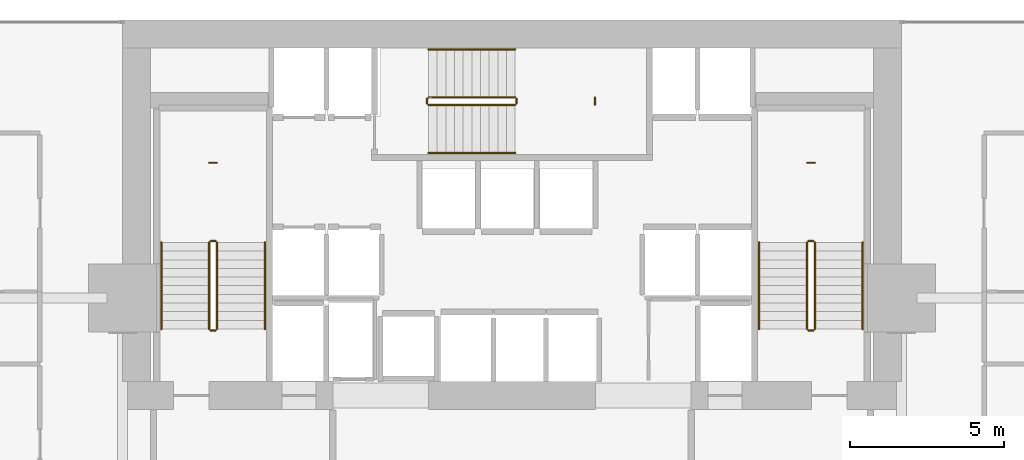
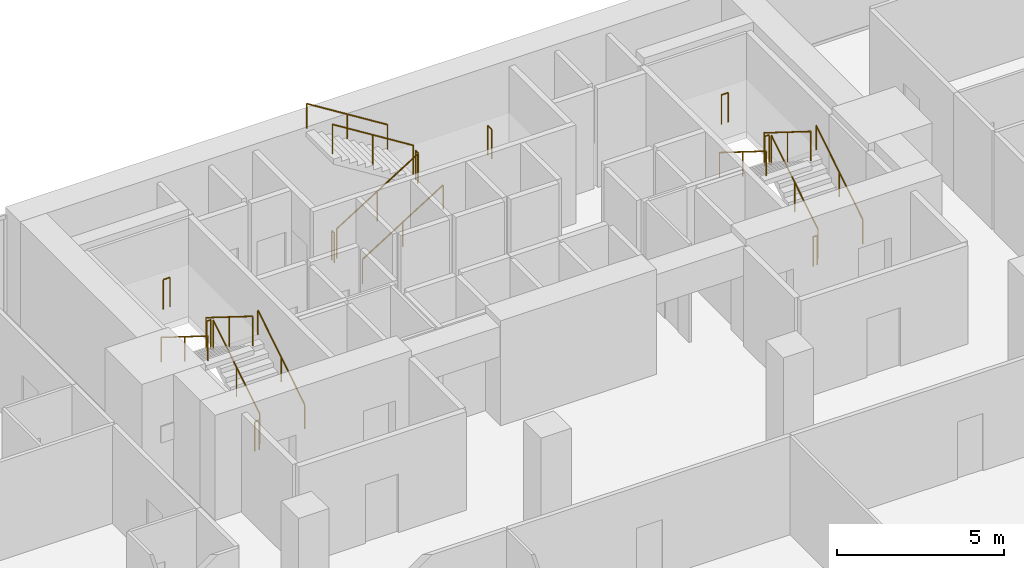
# One storey, part 39 of 39: 21 railings.
"""IFC4 building model written with IfcOpenShell, lengths in metres."""

from ifc_helpers import new_model, si_unit, direction, frame, origin, origin_2d, place, context, subcontext, project, spatial, circle, extrude, material, type_object, element, save


model = new_model("IFC4")

# Units and contexts
model_context = context("Model", 3, precision=1e-05, world=origin(), true_north=direction((0.0, 1.0)))
body_context = subcontext(model_context, "Body", "Model", "MODEL_VIEW")
ifc_project = project(units=[si_unit("LENGTHUNIT", "METRE"), si_unit("AREAUNIT", "SQUARE_METRE"), si_unit("VOLUMEUNIT", "CUBIC_METRE"), si_unit("PLANEANGLEUNIT", "RADIAN"), si_unit("MASSUNIT", "GRAM", prefix="KILO")], contexts=[model_context])

# Site, building, storey
site_placement = place(None, origin())
site = spatial("IfcSite", under=ifc_project, at=site_placement, CompositionType="ELEMENT")
building_placement = place(site_placement, origin())
building = spatial("IfcBuilding", under=site, at=building_placement, Name="Maruvema Waterfront Hotel and Observation Tower", CompositionType="ELEMENT")
storey_placement = place(building_placement, frame((0.0, 0.0, 46.199951171875)))
storey = spatial("IfcBuildingStorey", under=building, at=storey_placement, Name="L10", CompositionType="ELEMENT", Elevation=46.199951171875)

# Railings
ifc_material_1 = material(Name="Brushed stainless steel Grade 316", Category="steel")
railing_type_1 = type_object("IfcRailingType", Name="Ramp Continuous Wall Handrail 920 mm", PredefinedType="HANDRAIL", material=ifc_material_1)
railing_1_placement = place(storey_placement, frame((29.800048828125, 44.0, 0.175048828125)))
element("IfcRailing", 1, at=railing_1_placement, inside=storey, type_object=railing_type_1, Name="L10 ST-01 stair handrail 1", PredefinedType="HANDRAIL", context=body_context, shape_type="SweptSolid", body=[
    extrude(circle(Radius=0.02392578125, at=origin_2d()), frame((0.0, 0.0, 0.89599609375), z_axis=(0.0, 0.848002457836, 0.529992293815), x_axis=(-1.0, 0.0, 0.0)), (0.0, 0.0, 1.0), 3.302001953125),
    extrude(circle(Radius=0.02099609375, at=origin_2d()), origin(), (0.0, 0.0, 1.0), 0.871826171875),
    extrude(circle(Radius=0.02099609375, at=origin_2d()), frame((0.0, 1.39990234375, 0.875)), (0.0, 0.0, 1.0), 0.871826171875),
    extrude(circle(Radius=0.02099609375, at=origin_2d()), frame((0.0, 2.800048828125, 1.75)), (0.0, 0.0, 1.0), 0.871826171875),
])
railing_2_placement = place(storey_placement, frame((26.449951171875, 46.800048828125, 2.10009765625)))
element("IfcRailing", 2, at=railing_2_placement, inside=storey, type_object=railing_type_1, Name="L10 ST-01 stair handrail 2", PredefinedType="HANDRAIL", context=body_context, shape_type="SweptSolid", body=[
    extrude(circle(Radius=0.02392578125, at=origin_2d()), frame((0.0, 0.0, 0.89599609375), z_axis=(0.0, -0.848002457836, 0.529992293815), x_axis=(1.0, 0.0, 0.0)), (0.0, 0.0, 1.0), 3.302001953125),
    extrude(circle(Radius=0.02099609375, at=origin_2d()), origin(), (0.0, 0.0, 1.0), 0.871826171875),
    extrude(circle(Radius=0.02099609375, at=origin_2d()), frame((0.0, -1.39990234375, 0.875)), (0.0, 0.0, 1.0), 0.871826171875),
    extrude(circle(Radius=0.02099609375, at=origin_2d()), frame((0.0, -2.800048828125, 1.75)), (0.0, 0.0, 1.0), 0.871826171875),
])
railing_3_placement = place(storey_placement, frame((35.10009765625, 49.699951171875, 0.175048828125)))
element("IfcRailing", 3, at=railing_3_placement, inside=storey, type_object=railing_type_1, Name="L10 ST-02 stair handrail 1", PredefinedType="HANDRAIL", context=body_context, shape_type="SweptSolid", body=[
    extrude(circle(Radius=0.02392578125, at=origin_2d()), frame((0.0, 0.0, 0.89599609375), z_axis=(0.847981687118, 0.0, 0.530025526095), x_axis=(0.0, 1.0, 0.0)), (0.0, 0.0, 1.0), 3.3017578125),
    extrude(circle(Radius=0.02099609375, at=origin_2d()), origin(), (0.0, 0.0, 1.0), 0.871826171875),
    extrude(circle(Radius=0.02099609375, at=origin_2d()), frame((1.39990234375, 0.0, 0.875)), (0.0, 0.0, 1.0), 0.871826171875),
    extrude(circle(Radius=0.02099609375, at=origin_2d()), frame((2.7998046875, 0.0, 1.75)), (0.0, 0.0, 1.0), 0.871826171875),
])
railing_4_placement = place(storey_placement, frame((37.89990234375, 53.050048828125, 2.10009765625)))
element("IfcRailing", 4, at=railing_4_placement, inside=storey, type_object=railing_type_1, Name="L10 ST-02 stair handrail 2", PredefinedType="HANDRAIL", context=body_context, shape_type="SweptSolid", body=[
    extrude(circle(Radius=0.02392578125, at=origin_2d()), frame((0.0, 0.0, 0.89599609375), z_axis=(-0.847981687118, 0.0, 0.530025526095), x_axis=(0.0, -1.0, 0.0)), (0.0, 0.0, 1.0), 3.3017578125),
    extrude(circle(Radius=0.02099609375, at=origin_2d()), origin(), (0.0, 0.0, 1.0), 0.871826171875),
    extrude(circle(Radius=0.02099609375, at=origin_2d()), frame((-1.39990234375, 0.0, 0.875)), (0.0, 0.0, 1.0), 0.871826171875),
    extrude(circle(Radius=0.02099609375, at=origin_2d()), frame((-2.7998046875, 0.0, 1.75)), (0.0, 0.0, 1.0), 0.871826171875),
])
railing_5_placement = place(storey_placement, frame((49.14990234375, 44.0, 0.175048828125)))
element("IfcRailing", 5, at=railing_5_placement, inside=storey, type_object=railing_type_1, Name="L10 ST-03 stair handrail 1", PredefinedType="HANDRAIL", context=body_context, shape_type="SweptSolid", body=[
    extrude(circle(Radius=0.02392578125, at=origin_2d()), frame((0.0, 0.0, 0.89599609375), z_axis=(0.0, 0.848002457836, 0.529992293815), x_axis=(-1.0, 0.0, 0.0)), (0.0, 0.0, 1.0), 3.302001953125),
    extrude(circle(Radius=0.02099609375, at=origin_2d()), origin(), (0.0, 0.0, 1.0), 0.871826171875),
    extrude(circle(Radius=0.02099609375, at=origin_2d()), frame((0.0, 1.39990234375, 0.875)), (0.0, 0.0, 1.0), 0.871826171875),
    extrude(circle(Radius=0.02099609375, at=origin_2d()), frame((0.0, 2.800048828125, 1.75)), (0.0, 0.0, 1.0), 0.871826171875),
])
railing_6_placement = place(storey_placement, frame((45.800048828125, 46.800048828125, 2.10009765625)))
element("IfcRailing", 6, at=railing_6_placement, inside=storey, type_object=railing_type_1, Name="L10 ST-03 stair handrail 2", PredefinedType="HANDRAIL", context=body_context, shape_type="SweptSolid", body=[
    extrude(circle(Radius=0.02392578125, at=origin_2d()), frame((0.0, 0.0, 0.89599609375), z_axis=(0.0, -0.848002457836, 0.529992293815), x_axis=(1.0, 0.0, 0.0)), (0.0, 0.0, 1.0), 3.302001953125),
    extrude(circle(Radius=0.02099609375, at=origin_2d()), origin(), (0.0, 0.0, 1.0), 0.871826171875),
    extrude(circle(Radius=0.02099609375, at=origin_2d()), frame((0.0, -1.39990234375, 0.875)), (0.0, 0.0, 1.0), 0.871826171875),
    extrude(circle(Radius=0.02099609375, at=origin_2d()), frame((0.0, -2.800048828125, 1.75)), (0.0, 0.0, 1.0), 0.871826171875),
])
ifc_material_2 = material(Name="Brushed stainless steel Grade 316", Category="steel")
railing_type_2 = type_object("IfcRailingType", Name="Ramp and Terrace Guard Balustrade 1100 mm", PredefinedType="BALUSTRADE", material=ifc_material_2)
railing_7_placement = place(storey_placement, frame((28.25, 44.0, 0.175048828125)))
element("IfcRailing", 7, at=railing_7_placement, inside=storey, type_object=railing_type_2, Name="L10 ST-01 stair guard 1", PredefinedType="BALUSTRADE", context=body_context, shape_type="SweptSolid", body=[
    extrude(circle(Radius=0.02392578125, at=origin_2d()), frame((0.0, 0.0, 1.076171875), z_axis=(0.0, 0.848002457836, 0.529992293815), x_axis=(-1.0, 0.0, 0.0)), (0.0, 0.0, 1.0), 3.302001953125),
    extrude(circle(Radius=0.02099609375, at=origin_2d()), origin(), (0.0, 0.0, 1.0), 1.052001953125),
    extrude(circle(Radius=0.02099609375, at=origin_2d()), frame((0.0, 1.39990234375, 0.875)), (0.0, 0.0, 1.0), 1.052001953125),
    extrude(circle(Radius=0.02099609375, at=origin_2d()), frame((0.0, 2.800048828125, 1.75)), (0.0, 0.0, 1.0), 1.052001953125),
])
railing_8_placement = place(storey_placement, frame((28.199951171875, 46.85009765625, 1.925048828125)))
element("IfcRailing", 8, at=railing_8_placement, inside=storey, type_object=railing_type_2, Name="L10 ST-01 stair guard 2", PredefinedType="BALUSTRADE", context=body_context, shape_type="SweptSolid", body=[
    extrude(circle(Radius=0.02392578125, at=origin_2d()), frame((0.0, 0.0, 1.076171875), z_axis=(-1.0, 0.0, 0.0), x_axis=(0.0, -1.0, 0.0)), (0.0, 0.0, 1.0), 0.14990234375),
    extrude(circle(Radius=0.02099609375, at=origin_2d()), origin(), (0.0, 0.0, 1.0), 1.052001953125),
    extrude(circle(Radius=0.02099609375, at=origin_2d()), frame((-0.14990234375, 0.0, 0.0)), (0.0, 0.0, 1.0), 1.052001953125),
])
railing_9_placement = place(storey_placement, frame((28.0, 46.800048828125, 2.10009765625)))
element("IfcRailing", 9, at=railing_9_placement, inside=storey, type_object=railing_type_2, Name="L10 ST-01 stair guard 3", PredefinedType="BALUSTRADE", context=body_context, shape_type="SweptSolid", body=[
    extrude(circle(Radius=0.02392578125, at=origin_2d()), frame((0.0, 0.0, 1.076171875), z_axis=(0.0, -0.848002457836, 0.529992293815), x_axis=(1.0, 0.0, 0.0)), (0.0, 0.0, 1.0), 3.302001953125),
    extrude(circle(Radius=0.02099609375, at=origin_2d()), origin(), (0.0, 0.0, 1.0), 1.052001953125),
    extrude(circle(Radius=0.02099609375, at=origin_2d()), frame((0.0, -1.39990234375, 0.875)), (0.0, 0.0, 1.0), 1.052001953125),
    extrude(circle(Radius=0.02099609375, at=origin_2d()), frame((0.0, -2.800048828125, 1.75)), (0.0, 0.0, 1.0), 1.052001953125),
])
railing_10_placement = place(storey_placement, frame((28.199951171875, 43.949951171875, 0.0)))
element("IfcRailing", 10, at=railing_10_placement, inside=storey, type_object=railing_type_2, Name="L10 ST-01 stair guard 4", PredefinedType="BALUSTRADE", context=body_context, shape_type="SweptSolid", body=[
    extrude(circle(Radius=0.02392578125, at=origin_2d()), frame((0.0, 0.0, 1.076171875), z_axis=(-1.0, 0.0, 0.0), x_axis=(0.0, -1.0, 0.0)), (0.0, 0.0, 1.0), 0.14990234375),
    extrude(circle(Radius=0.02099609375, at=origin_2d()), origin(), (0.0, 0.0, 1.0), 1.052001953125),
    extrude(circle(Radius=0.02099609375, at=origin_2d()), frame((-0.14990234375, 0.0, 0.0)), (0.0, 0.0, 1.0), 1.052001953125),
])
railing_11_placement = place(storey_placement, frame((28.239990234375, 49.3798828125, 1.925048828125)))
element("IfcRailing", 11, at=railing_11_placement, inside=storey, type_object=railing_type_2, Name="L10 ST-01 Half-Landing Slot Guard", PredefinedType="BALUSTRADE", context=body_context, shape_type="SweptSolid", body=[
    extrude(circle(Radius=0.02392578125, at=origin_2d()), frame((0.0, 0.0, 1.076171875), z_axis=(-1.0, 0.0, 0.0), x_axis=(0.0, -1.0, 0.0)), (0.0, 0.0, 1.0), 0.22998046875),
    extrude(circle(Radius=0.02099609375, at=origin_2d()), origin(), (0.0, 0.0, 1.0), 1.052001953125),
    extrude(circle(Radius=0.02099609375, at=origin_2d()), frame((-0.22998046875, 0.0, 0.0)), (0.0, 0.0, 1.0), 1.052001953125),
])
railing_12_placement = place(storey_placement, frame((35.10009765625, 51.25, 0.175048828125)))
element("IfcRailing", 12, at=railing_12_placement, inside=storey, type_object=railing_type_2, Name="L10 ST-02 stair guard 1", PredefinedType="BALUSTRADE", context=body_context, shape_type="SweptSolid", body=[
    extrude(circle(Radius=0.02392578125, at=origin_2d()), frame((0.0, 0.0, 1.076171875), z_axis=(0.847981687118, 0.0, 0.530025526095), x_axis=(0.0, 1.0, 0.0)), (0.0, 0.0, 1.0), 3.3017578125),
    extrude(circle(Radius=0.02099609375, at=origin_2d()), origin(), (0.0, 0.0, 1.0), 1.052001953125),
    extrude(circle(Radius=0.02099609375, at=origin_2d()), frame((1.39990234375, 0.0, 0.875)), (0.0, 0.0, 1.0), 1.052001953125),
    extrude(circle(Radius=0.02099609375, at=origin_2d()), frame((2.7998046875, 0.0, 1.75)), (0.0, 0.0, 1.0), 1.052001953125),
])
railing_13_placement = place(storey_placement, frame((37.949951171875, 51.300048828125, 1.925048828125)))
element("IfcRailing", 13, at=railing_13_placement, inside=storey, type_object=railing_type_2, Name="L10 ST-02 stair guard 2", PredefinedType="BALUSTRADE", context=body_context, shape_type="SweptSolid", body=[
    extrude(circle(Radius=0.02392578125, at=origin_2d()), frame((0.0, 0.0, 1.076171875), z_axis=(0.0, 1.0, 0.0), x_axis=(-1.0, 0.0, 0.0)), (0.0, 0.0, 1.0), 0.14990234375),
    extrude(circle(Radius=0.02099609375, at=origin_2d()), origin(), (0.0, 0.0, 1.0), 1.052001953125),
    extrude(circle(Radius=0.02099609375, at=origin_2d()), frame((0.0, 0.14990234375, 0.0)), (0.0, 0.0, 1.0), 1.052001953125),
])
railing_14_placement = place(storey_placement, frame((37.89990234375, 51.5, 2.10009765625)))
element("IfcRailing", 14, at=railing_14_placement, inside=storey, type_object=railing_type_2, Name="L10 ST-02 stair guard 3", PredefinedType="BALUSTRADE", context=body_context, shape_type="SweptSolid", body=[
    extrude(circle(Radius=0.02392578125, at=origin_2d()), frame((0.0, 0.0, 1.076171875), z_axis=(-0.847981687118, 0.0, 0.530025526095), x_axis=(0.0, -1.0, 0.0)), (0.0, 0.0, 1.0), 3.3017578125),
    extrude(circle(Radius=0.02099609375, at=origin_2d()), origin(), (0.0, 0.0, 1.0), 1.052001953125),
    extrude(circle(Radius=0.02099609375, at=origin_2d()), frame((-1.39990234375, 0.0, 0.875)), (0.0, 0.0, 1.0), 1.052001953125),
    extrude(circle(Radius=0.02099609375, at=origin_2d()), frame((-2.7998046875, 0.0, 1.75)), (0.0, 0.0, 1.0), 1.052001953125),
])
railing_15_placement = place(storey_placement, frame((35.050048828125, 51.300048828125, 0.0)))
element("IfcRailing", 15, at=railing_15_placement, inside=storey, type_object=railing_type_2, Name="L10 ST-02 stair guard 4", PredefinedType="BALUSTRADE", context=body_context, shape_type="SweptSolid", body=[
    extrude(circle(Radius=0.02392578125, at=origin_2d()), frame((0.0, 0.0, 1.076171875), z_axis=(0.0, 1.0, 0.0), x_axis=(-1.0, 0.0, 0.0)), (0.0, 0.0, 1.0), 0.14990234375),
    extrude(circle(Radius=0.02099609375, at=origin_2d()), origin(), (0.0, 0.0, 1.0), 1.052001953125),
    extrude(circle(Radius=0.02099609375, at=origin_2d()), frame((0.0, 0.14990234375, 0.0)), (0.0, 0.0, 1.0), 1.052001953125),
])
railing_16_placement = place(storey_placement, frame((40.47998046875, 51.260009765625, 1.925048828125)))
element("IfcRailing", 16, at=railing_16_placement, inside=storey, type_object=railing_type_2, Name="L10 ST-02 Half-Landing Slot Guard", PredefinedType="BALUSTRADE", context=body_context, shape_type="SweptSolid", body=[
    extrude(circle(Radius=0.02392578125, at=origin_2d()), frame((0.0, 0.0, 1.076171875), z_axis=(0.0, 1.0, 0.0), x_axis=(-1.0, 0.0, 0.0)), (0.0, 0.0, 1.0), 0.22998046875),
    extrude(circle(Radius=0.02099609375, at=origin_2d()), origin(), (0.0, 0.0, 1.0), 1.052001953125),
    extrude(circle(Radius=0.02099609375, at=origin_2d()), frame((0.0, 0.22998046875, 0.0)), (0.0, 0.0, 1.0), 1.052001953125),
])
railing_17_placement = place(storey_placement, frame((47.60009765625, 44.0, 0.175048828125)))
element("IfcRailing", 17, at=railing_17_placement, inside=storey, type_object=railing_type_2, Name="L10 ST-03 stair guard 1", PredefinedType="BALUSTRADE", context=body_context, shape_type="SweptSolid", body=[
    extrude(circle(Radius=0.02392578125, at=origin_2d()), frame((0.0, 0.0, 1.076171875), z_axis=(0.0, 0.848002457836, 0.529992293815), x_axis=(-1.0, 0.0, 0.0)), (0.0, 0.0, 1.0), 3.302001953125),
    extrude(circle(Radius=0.02099609375, at=origin_2d()), origin(), (0.0, 0.0, 1.0), 1.052001953125),
    extrude(circle(Radius=0.02099609375, at=origin_2d()), frame((0.0, 1.39990234375, 0.875)), (0.0, 0.0, 1.0), 1.052001953125),
    extrude(circle(Radius=0.02099609375, at=origin_2d()), frame((0.0, 2.800048828125, 1.75)), (0.0, 0.0, 1.0), 1.052001953125),
])
railing_18_placement = place(storey_placement, frame((47.550048828125, 46.85009765625, 1.925048828125)))
element("IfcRailing", 18, at=railing_18_placement, inside=storey, type_object=railing_type_2, Name="L10 ST-03 stair guard 2", PredefinedType="BALUSTRADE", context=body_context, shape_type="SweptSolid", body=[
    extrude(circle(Radius=0.02392578125, at=origin_2d()), frame((0.0, 0.0, 1.076171875), z_axis=(-1.0, 0.0, 0.0), x_axis=(0.0, -1.0, 0.0)), (0.0, 0.0, 1.0), 0.150146484375),
    extrude(circle(Radius=0.02099609375, at=origin_2d()), origin(), (0.0, 0.0, 1.0), 1.052001953125),
    extrude(circle(Radius=0.02099609375, at=origin_2d()), frame((-0.150146484375, 0.0, 0.0)), (0.0, 0.0, 1.0), 1.052001953125),
])
railing_19_placement = place(storey_placement, frame((47.35009765625, 46.800048828125, 2.10009765625)))
element("IfcRailing", 19, at=railing_19_placement, inside=storey, type_object=railing_type_2, Name="L10 ST-03 stair guard 3", PredefinedType="BALUSTRADE", context=body_context, shape_type="SweptSolid", body=[
    extrude(circle(Radius=0.02392578125, at=origin_2d()), frame((0.0, 0.0, 1.076171875), z_axis=(0.0, -0.848002457836, 0.529992293815), x_axis=(1.0, 0.0, 0.0)), (0.0, 0.0, 1.0), 3.302001953125),
    extrude(circle(Radius=0.02099609375, at=origin_2d()), origin(), (0.0, 0.0, 1.0), 1.052001953125),
    extrude(circle(Radius=0.02099609375, at=origin_2d()), frame((0.0, -1.39990234375, 0.875)), (0.0, 0.0, 1.0), 1.052001953125),
    extrude(circle(Radius=0.02099609375, at=origin_2d()), frame((0.0, -2.800048828125, 1.75)), (0.0, 0.0, 1.0), 1.052001953125),
])
railing_20_placement = place(storey_placement, frame((47.550048828125, 43.949951171875, 0.0)))
element("IfcRailing", 20, at=railing_20_placement, inside=storey, type_object=railing_type_2, Name="L10 ST-03 stair guard 4", PredefinedType="BALUSTRADE", context=body_context, shape_type="SweptSolid", body=[
    extrude(circle(Radius=0.02392578125, at=origin_2d()), frame((0.0, 0.0, 1.076171875), z_axis=(-1.0, 0.0, 0.0), x_axis=(0.0, -1.0, 0.0)), (0.0, 0.0, 1.0), 0.150146484375),
    extrude(circle(Radius=0.02099609375, at=origin_2d()), origin(), (0.0, 0.0, 1.0), 1.052001953125),
    extrude(circle(Radius=0.02099609375, at=origin_2d()), frame((-0.150146484375, 0.0, 0.0)), (0.0, 0.0, 1.0), 1.052001953125),
])
railing_21_placement = place(storey_placement, frame((47.590087890625, 49.3798828125, 1.925048828125)))
element("IfcRailing", 21, at=railing_21_placement, inside=storey, type_object=railing_type_2, Name="L10 ST-03 Half-Landing Slot Guard", PredefinedType="BALUSTRADE", context=body_context, shape_type="SweptSolid", body=[
    extrude(circle(Radius=0.02392578125, at=origin_2d()), frame((0.0, 0.0, 1.076171875), z_axis=(-1.0, 0.0, 0.0), x_axis=(0.0, -1.0, 0.0)), (0.0, 0.0, 1.0), 0.22998046875),
    extrude(circle(Radius=0.02099609375, at=origin_2d()), origin(), (0.0, 0.0, 1.0), 1.052001953125),
    extrude(circle(Radius=0.02099609375, at=origin_2d()), frame((-0.22998046875, 0.0, 0.0)), (0.0, 0.0, 1.0), 1.052001953125),
])

save(model, "model.ifc")
